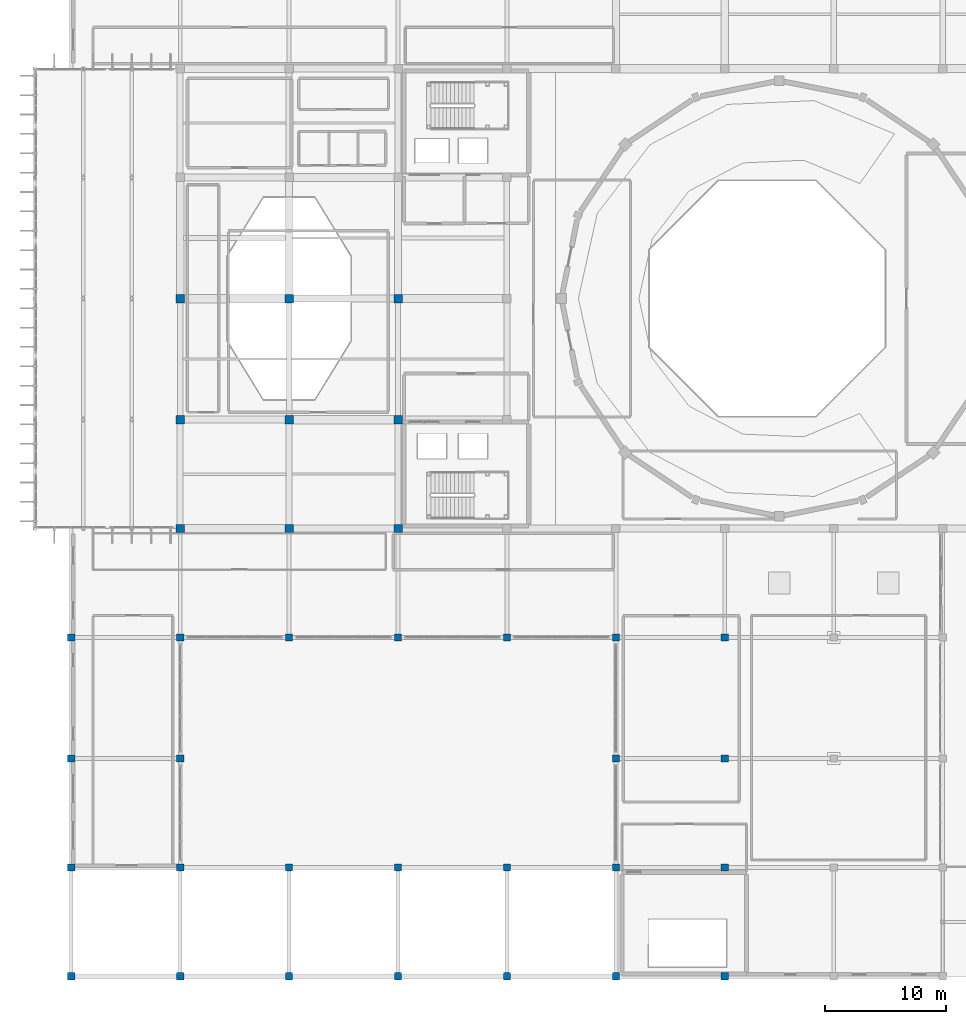
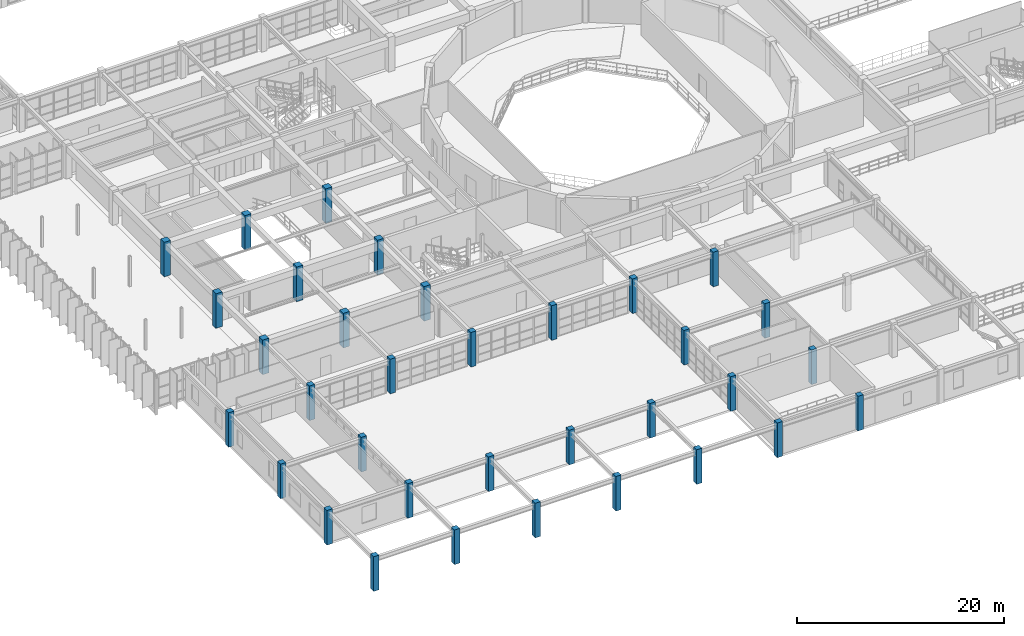
# One storey, part 1 of 110: 34 columns.
"""IFC4 building model written with IfcOpenShell, lengths in metres."""

from ifc_helpers import new_model, si_unit, direction, frame, origin, origin_2d, place, context, subcontext, project, spatial, rectangle, extrude, material, material_profile, profile_set, type_object, element, save


model = new_model("IFC4")

# Units and contexts
model_context = context("Model", 3, precision=1e-05, world=origin(), true_north=direction((0.0, 1.0)))
body_context = subcontext(model_context, "Body", "Model", "MODEL_VIEW")
ifc_project = project(units=[si_unit("LENGTHUNIT", "METRE"), si_unit("AREAUNIT", "SQUARE_METRE"), si_unit("VOLUMEUNIT", "CUBIC_METRE"), si_unit("PLANEANGLEUNIT", "RADIAN"), si_unit("MASSUNIT", "GRAM", prefix="KILO")], contexts=[model_context])

# Site, building, storey
site_placement = place(None, origin())
site = spatial("IfcSite", under=ifc_project, at=site_placement, CompositionType="ELEMENT")
building_placement = place(site_placement, origin())
building = spatial("IfcBuilding", under=site, at=building_placement, Name="Miravela Opera House", CompositionType="ELEMENT")
storey_placement = place(building_placement, frame((0.0, 0.0, 13.60009765625)))
storey = spatial("IfcBuildingStorey", under=building, at=storey_placement, Name="L03", CompositionType="ELEMENT", Elevation=13.60009765625)

# Columns
ifc_material = material(Name="Concrete C35/45", Category="concrete")
ifc_material_profile_1 = material_profile(ifc_material, rectangle(XDim=0.60009765625, YDim=0.60009765625, at=origin_2d()), Name="RC-COL-600X600")
ifc_profile_set_1 = profile_set([ifc_material_profile_1])
column_type_1 = type_object("IfcColumnType", Name="STR-COL-RC600", PredefinedType="COLUMN", material=ifc_profile_set_1)
for number, where, z_axis, x_axis, name in (
    (1, (18.0, 0.0, 0.0), (0.0, 0.0, 1.0), (1.0, 0.0, 0.0), "Column C-3A (L03)"),
    (2, (18.0, 9.0, 0.0), (0.0, 0.0, 1.0), (1.0, 0.0, 0.0), "Column C-3B (L03)"),
    (3, (18.0, 18.0, 0.0), (0.0, 0.0, 1.0), (1.0, 0.0, 0.0), "Column C-3C (L03)"),
    (4, (18.0, 28.0, 0.0), (0.0, 0.0, 1.0), (1.0, 0.0, 0.0), "Column C-3D (L03)"),
    (5, (27.0, 0.0, 0.0), (0.0, 0.0, 1.0), (1.0, 0.0, 0.0), "Column C-4A (L03)"),
    (6, (27.0, 9.0, 0.0), (0.0, 0.0, 1.0), (1.0, 0.0, 0.0), "Column C-4B (L03)"),
    (7, (27.0, 18.0, 0.0), (0.0, 0.0, 1.0), (1.0, 0.0, 0.0), "Column C-4C (L03)"),
    (8, (27.0, 28.0, 0.0), (0.0, 0.0, 1.0), (1.0, 0.0, 0.0), "Column C-4D (L03)"),
    (9, (36.0, 0.0, 0.0), (0.0, 0.0, 1.0), (1.0, 0.0, 0.0), "Column C-5A (L03)"),
    (10, (36.0, 9.0, 0.0), (0.0, 0.0, 1.0), (1.0, 0.0, 0.0), "Column C-5B (L03)"),
    (11, (36.0, 28.0, 0.0), (0.0, 0.0, 1.0), (1.0, 0.0, 0.0), "Column C-5D (L03)"),
    (12, (45.0, 0.0, 0.0), (0.0, 0.0, 1.0), (1.0, 0.0, 0.0), "Column C-6A (L03)"),
    (13, (45.0, 9.0, 0.0), (0.0, 0.0, 1.0), (1.0, 0.0, 0.0), "Column C-6B (L03)"),
    (14, (45.0, 28.0, 0.0), (0.0, 0.0, 1.0), (1.0, 0.0, 0.0), "Column C-6D (L03)"),
    (15, (54.0, 0.0, 0.0), (0.0, 0.0, 1.0), (1.0, 0.0, 0.0), "Column C-7A (L03)"),
    (16, (54.0, 9.0, 0.0), (0.0, 0.0, 1.0), (1.0, 0.0, 0.0), "Column C-7B (L03)"),
    (17, (54.0, 28.0, 0.0), (0.0, 0.0, 1.0), (1.0, 0.0, 0.0), "Column C-7D (L03)"),
    (18, (63.0, 0.0, 0.0), (0.0, 0.0, 1.0), (1.0, 0.0, 0.0), "Column C-8A (L03)"),
    (19, (63.0, 9.0, 0.0), (0.0, 0.0, 1.0), (1.0, 0.0, 0.0), "Column C-8B (L03)"),
    (20, (63.0, 18.0, 0.0), (0.0, 0.0, 1.0), (1.0, 0.0, 0.0), "Column C-8C (L03)"),
    (21, (63.0, 28.0, 0.0), (0.0, 0.0, 1.0), (1.0, 0.0, 0.0), "Column C-8D (L03)"),
    (22, (72.0, 0.0, 0.0), (0.0, 0.0, 1.0), (1.0, 0.0, 0.0), "Column C-9A (L03)"),
    (23, (72.0, 9.0, 0.0), (0.0, 0.0, 1.0), (1.0, 0.0, 0.0), "Column C-9B (L03)"),
    (24, (72.0, 18.0, 0.0), (0.0, 0.0, 1.0), (1.0, 0.0, 0.0), "Column C-9C (L03)"),
    (25, (72.0, 28.0, 0.0), (0.0, 0.0, 1.0), (1.0, 0.0, 0.0), "Column C-9D (L03)"),
):
    element("IfcColumn", number, at=place(storey_placement, frame(where, z_axis=z_axis, x_axis=x_axis)), inside=storey, type_object=column_type_1, Name=name, PredefinedType="COLUMN", context=body_context, shape_type="SweptSolid", body=[
        extrude(rectangle(XDim=0.60009765625, YDim=0.60009765625, at=origin_2d()), origin(), (0.0, 0.0, 1.0), 4.079833984375),
    ])
ifc_material_profile_2 = material_profile(ifc_material, rectangle(XDim=0.699951171875, YDim=0.699951171875, at=origin_2d()), Name="RC-COL-700X700")
ifc_profile_set_2 = profile_set([ifc_material_profile_2])
column_type_2 = type_object("IfcColumnType", Name="STR-COL-RC700", PredefinedType="COLUMN", material=ifc_profile_set_2)
for number, where, z_axis, x_axis, name in (
    (26, (27.0, 37.0, 0.0), (0.0, 0.0, 1.0), (1.0, 0.0, 0.0), "Column C-4E (L03)"),
    (27, (27.0, 46.0, 0.0), (0.0, 0.0, 1.0), (1.0, 0.0, 0.0), "Column C-4F (L03)"),
    (28, (27.0, 56.0, 0.0), (0.0, 0.0, 1.0), (1.0, 0.0, 0.0), "Column C-4G (L03)"),
    (29, (36.0, 37.0, 0.0), (0.0, 0.0, 1.0), (1.0, 0.0, 0.0), "Column C-5E (L03)"),
    (30, (36.0, 46.0, 0.0), (0.0, 0.0, 1.0), (1.0, 0.0, 0.0), "Column C-5F (L03)"),
    (31, (36.0, 56.0, 0.0), (0.0, 0.0, 1.0), (1.0, 0.0, 0.0), "Column C-5G (L03)"),
    (32, (45.0, 37.0, 0.0), (0.0, 0.0, 1.0), (1.0, 0.0, 0.0), "Column C-6E (L03)"),
    (33, (45.0, 46.0, 0.0), (0.0, 0.0, 1.0), (1.0, 0.0, 0.0), "Column C-6F (L03)"),
    (34, (45.0, 56.0, 0.0), (0.0, 0.0, 1.0), (1.0, 0.0, 0.0), "Column C-6G (L03)"),
):
    element("IfcColumn", number, at=place(storey_placement, frame(where, z_axis=z_axis, x_axis=x_axis)), inside=storey, type_object=column_type_2, Name=name, PredefinedType="COLUMN", context=body_context, shape_type="SweptSolid", body=[
        extrude(rectangle(XDim=0.699951171875, YDim=0.699951171875, at=origin_2d()), origin(), (0.0, 0.0, 1.0), 4.079833984375),
    ])

save(model, "model.ifc")
